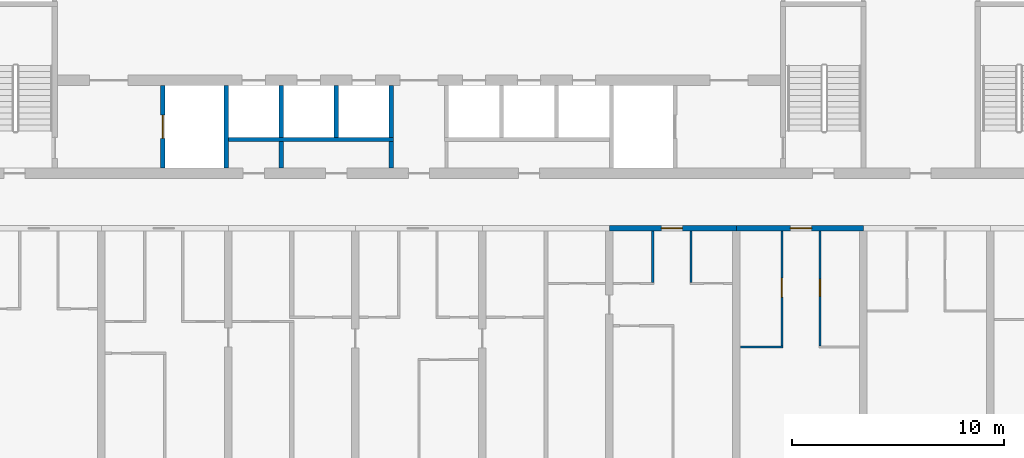
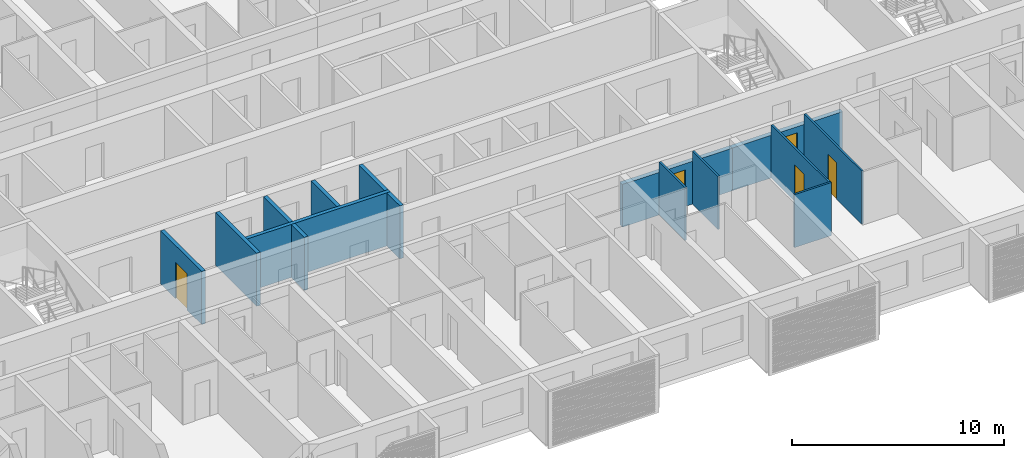
# One storey, part 6 of 26: 15 walls, 5 doors, 5 openings.
"""IFC4 building model written with IfcOpenShell, lengths in metres."""

from ifc_helpers import new_model, si_unit, direction, frame, frame_2d, origin, place, context, subcontext, project, spatial, rectangle, extrude, material, layer, layer_set, type_object, element, fill, save


model = new_model("IFC4")

# Units and contexts
model_context = context("Model", 3, precision=1e-05, world=origin(), true_north=direction((0.0, 1.0)))
body_context = subcontext(model_context, "Body", "Model", "MODEL_VIEW")
ifc_project = project(units=[si_unit("LENGTHUNIT", "METRE"), si_unit("AREAUNIT", "SQUARE_METRE"), si_unit("VOLUMEUNIT", "CUBIC_METRE"), si_unit("PLANEANGLEUNIT", "RADIAN"), si_unit("MASSUNIT", "GRAM", prefix="KILO")], contexts=[model_context])

# Site, building, storey
site_placement = place(None, origin())
site = spatial("IfcSite", under=ifc_project, at=site_placement, CompositionType="ELEMENT")
building_placement = place(site_placement, origin())
building = spatial("IfcBuilding", under=site, at=building_placement, Name="Poui Terraces", CompositionType="ELEMENT")
storey_placement = place(building_placement, frame((0.0, 0.0, 96.0)))
storey = spatial("IfcBuildingStorey", under=building, at=storey_placement, Name="L26", CompositionType="ELEMENT", Elevation=96.0)

# Wall, opening, door
ifc_material_1 = material(Name="Concrete 65 MPa", Category="concrete")
ifc_layer_1 = layer(ifc_material_1, 0.25)
ifc_layer_set_1 = layer_set([ifc_layer_1], Name="Concrete 65 MPa")
wall_type_1 = type_object("IfcWallType", Name="CORRIDOR WALL 250 65MPa", PredefinedType="SHEAR", material=ifc_layer_set_1)
wall_1_placement = place(storey_placement, frame((60.0, 12.0, 0.0), z_axis=(0.0, 0.0, 1.0), x_axis=(1.0, 0.0, 0.0)))
wall_1 = element("IfcWall", 1, at=wall_1_placement, inside=storey, type_object=wall_type_1, Name="CORRIDOR WALL LINE B BAY 10", PredefinedType="SHEAR", context=body_context, shape_type="SweptSolid", body=[
    extrude(rectangle(XDim=6.0, YDim=0.25, at=frame_2d((3.0, 0.0))), origin(), (0.0, 0.0, 1.0), 2.4599609375),
])
opening_1_placement = place(wall_1_placement, frame((2.449951171875, 0.0, 0.0)))
opening_1 = element("IfcOpeningElement", 2, at=opening_1_placement, cuts=wall_1, Name="Opening FD30S", PredefinedType="OPENING", context=body_context, shape_type="SweptSolid", body=[
    extrude(rectangle(XDim=1.0, YDim=2.10009765625, at=frame_2d((0.5, 1.050048828125))), frame((0.0, 0.135009765625, 0.0), z_axis=(0.0, -1.0, 0.0), x_axis=(1.0, 0.0, 0.0)), (0.0, 0.0, 1.0), 0.27001953125),
])
ifc_material_2 = material(Name="Steel fire door", Category="steel")
door_type_1 = type_object("IfcDoorType", Name="FLAT ENTRANCE DOOR 1000 X 2100", OperationType="NOTDEFINED", PredefinedType="DOOR", material=ifc_material_2)
door_1_placement = place(opening_1_placement, frame((1.0, 0.0, 0.0), z_axis=(0.0, 0.0, 1.0), x_axis=(-1.0, 0.0, 0.0)))
door_1 = element("IfcDoor", 3, at=door_1_placement, inside=storey, type_object=door_type_1, Name="FLAT ENTRANCE DOOR 116", OperationType="SINGLE_SWING_RIGHT", OverallHeight=2.10009765625, OverallWidth=1.0, PredefinedType="DOOR", context=body_context, shape_type="SweptSolid", body=[
    extrude(rectangle(XDim=1.0, YDim=2.10009765625, at=frame_2d((0.5, 1.050048828125))), frame((0.0, 0.02490234375, 0.0), z_axis=(0.0, -1.0, 0.0), x_axis=(1.0, 0.0, 0.0)), (0.0, 0.0, 1.0), 0.050048828125),
])
fill(opening_1, door_1)

wall_2_placement = place(storey_placement, frame((66.0, 12.0, 0.0), z_axis=(0.0, 0.0, 1.0), x_axis=(1.0, 0.0, 0.0)))
wall_2 = element("IfcWall", 4, at=wall_2_placement, inside=storey, type_object=wall_type_1, Name="CORRIDOR WALL LINE B BAY 11", PredefinedType="SHEAR", context=body_context, shape_type="SweptSolid", body=[
    extrude(rectangle(XDim=6.0, YDim=0.25, at=frame_2d((3.0, 0.0))), origin(), (0.0, 0.0, 1.0), 2.4599609375),
])
opening_2_placement = place(wall_2_placement, frame((2.550048828125, 0.0, 0.0)))
opening_2 = element("IfcOpeningElement", 5, at=opening_2_placement, cuts=wall_2, Name="Opening FD30S", PredefinedType="OPENING", context=body_context, shape_type="SweptSolid", body=[
    extrude(rectangle(XDim=1.0, YDim=2.10009765625, at=frame_2d((0.5, 1.050048828125))), frame((0.0, 0.135009765625, 0.0), z_axis=(0.0, -1.0, 0.0), x_axis=(1.0, 0.0, 0.0)), (0.0, 0.0, 1.0), 0.27001953125),
])
door_2_placement = place(opening_2_placement, frame((1.0, 0.0, 0.0), z_axis=(0.0, 0.0, 1.0), x_axis=(-1.0, 0.0, 0.0)))
door_2 = element("IfcDoor", 6, at=door_2_placement, inside=storey, type_object=door_type_1, Name="FLAT ENTRANCE DOOR 119", OperationType="SINGLE_SWING_LEFT", OverallHeight=2.10009765625, OverallWidth=1.0, PredefinedType="DOOR", context=body_context, shape_type="SweptSolid", body=[
    extrude(rectangle(XDim=1.0, YDim=2.10009765625, at=frame_2d((0.5, 1.050048828125))), frame((0.0, 0.02490234375, 0.0), z_axis=(0.0, -1.0, 0.0), x_axis=(1.0, 0.0, 0.0)), (0.0, 0.0, 1.0), 0.050048828125),
])
fill(opening_2, door_2)

# Walls
ifc_material_3 = material(Name="Plasterboard partition")
ifc_layer_2 = layer(ifc_material_3, 0.10009765625)
ifc_layer_set_2 = layer_set([ifc_layer_2], Name="Plasterboard partition")
wall_type_2 = type_object("IfcWallType", Name="FLAT PARTITION 100", PredefinedType="PARTITIONING", material=ifc_layer_set_2)
wall_3_placement = place(storey_placement, frame((66.18505859375, 6.39990234375, 0.0), z_axis=(0.0, 0.0, 1.0), x_axis=(1.0, 0.0, 0.0)))
element("IfcWall", 7, at=wall_3_placement, inside=storey, type_object=wall_type_2, Name="FLAT PARTITION 100", PredefinedType="PARTITIONING", context=body_context, shape_type="SweptSolid", body=[
    extrude(rectangle(XDim=2.014892578125, YDim=0.10009765625, at=frame_2d((1.00732421875, 0.0))), origin(), (0.0, 0.0, 1.0), 3.06005859375),
])
for number, where, z_axis, x_axis, name in (
    (8, (62.050048828125, 9.449951171875, 0.0), (0.0, 0.0, 1.0), (0.0, 1.0, 0.0), "FLAT PARTITION 100"),
    (9, (63.85009765625, 9.449951171875, 0.0), (0.0, 0.0, 1.0), (0.0, 1.0, 0.0), "FLAT PARTITION 100"),
):
    element("IfcWall", number, at=place(storey_placement, frame(where, z_axis=z_axis, x_axis=x_axis)), inside=storey, type_object=wall_type_2, Name=name, PredefinedType="PARTITIONING", context=body_context, shape_type="SweptSolid", body=[
        extrude(rectangle(XDim=2.4150390625, YDim=0.10009765625, at=frame_2d((1.20751953125, 0.0))), origin(), (0.0, 0.0, 1.0), 3.06005859375),
    ])

# Wall, opening, door
wall_4_placement = place(storey_placement, frame((68.14990234375, 6.449951171875, 0.0), z_axis=(0.0, 0.0, 1.0), x_axis=(0.0, 1.0, 0.0)))
wall_4 = element("IfcWall", 10, at=wall_4_placement, inside=storey, type_object=wall_type_2, Name="FLAT PARTITION 100", PredefinedType="PARTITIONING", context=body_context, shape_type="SweptSolid", body=[
    extrude(rectangle(XDim=5.4150390625, YDim=0.10009765625, at=frame_2d((2.70751953125, 0.0))), origin(), (0.0, 0.0, 1.0), 3.06005859375),
])
opening_3_placement = place(wall_4_placement, frame((2.300048828125, 0.0, 0.0)))
opening_3 = element("IfcOpeningElement", 11, at=opening_3_placement, cuts=wall_4, Name="Opening D90", PredefinedType="OPENING", context=body_context, shape_type="SweptSolid", body=[
    extrude(rectangle(XDim=0.89990234375, YDim=2.10009765625, at=frame_2d((0.449951171875, 1.050048828125))), frame((0.0, 0.06005859375, 0.0), z_axis=(0.0, -1.0, 0.0), x_axis=(1.0, 0.0, 0.0)), (0.0, 0.0, 1.0), 0.1201171875),
])
ifc_material_4 = material(Name="Solid core timber door", Category="wood")
door_type_2 = type_object("IfcDoorType", Name="INTERNAL DOOR 900 X 2100", OperationType="NOTDEFINED", PredefinedType="DOOR", material=ifc_material_4)
door_3_placement = place(opening_3_placement, origin())
door_3 = element("IfcDoor", 12, at=door_3_placement, inside=storey, type_object=door_type_2, Name="INTERNAL DOOR 118", OperationType="SINGLE_SWING_LEFT", OverallHeight=2.10009765625, OverallWidth=0.89990234375, PredefinedType="DOOR", context=body_context, shape_type="SweptSolid", body=[
    extrude(rectangle(XDim=0.89990234375, YDim=2.10009765625, at=frame_2d((0.449951171875, 1.050048828125))), frame((0.0, 0.02490234375, 0.0), z_axis=(0.0, -1.0, 0.0), x_axis=(1.0, 0.0, 0.0)), (0.0, 0.0, 1.0), 0.050048828125),
])
fill(opening_3, door_3)

wall_5_placement = place(storey_placement, frame((69.949951171875, 6.449951171875, 0.0), z_axis=(0.0, 0.0, 1.0), x_axis=(0.0, 1.0, 0.0)))
wall_5 = element("IfcWall", 13, at=wall_5_placement, inside=storey, type_object=wall_type_2, Name="FLAT PARTITION 100", PredefinedType="PARTITIONING", context=body_context, shape_type="SweptSolid", body=[
    extrude(rectangle(XDim=5.4150390625, YDim=0.10009765625, at=frame_2d((2.70751953125, 0.0))), origin(), (0.0, 0.0, 1.0), 3.06005859375),
])
opening_4_placement = place(wall_5_placement, frame((2.35009765625, 0.0, 0.0)))
opening_4 = element("IfcOpeningElement", 14, at=opening_4_placement, cuts=wall_5, Name="Opening D80", PredefinedType="OPENING", context=body_context, shape_type="SweptSolid", body=[
    extrude(rectangle(XDim=0.800048828125, YDim=2.10009765625, at=frame_2d((0.39990234375, 1.050048828125))), frame((0.0, 0.06005859375, 0.0), z_axis=(0.0, -1.0, 0.0), x_axis=(1.0, 0.0, 0.0)), (0.0, 0.0, 1.0), 0.1201171875),
])
door_type_3 = type_object("IfcDoorType", Name="BATHROOM, LAUNDRY AND STORE DOOR 800 X 2100", OperationType="NOTDEFINED", PredefinedType="DOOR", material=ifc_material_4)
door_4_placement = place(opening_4_placement, frame((0.800048828125, 0.0, 0.0), z_axis=(0.0, 0.0, 1.0), x_axis=(-1.0, 0.0, 0.0)))
door_4 = element("IfcDoor", 15, at=door_4_placement, inside=storey, type_object=door_type_3, Name="BATHROOM, LAUNDRY AND STORE DOOR 120", OperationType="SINGLE_SWING_LEFT", OverallHeight=2.10009765625, OverallWidth=0.800048828125, PredefinedType="DOOR", context=body_context, shape_type="SweptSolid", body=[
    extrude(rectangle(XDim=0.800048828125, YDim=2.10009765625, at=frame_2d((0.39990234375, 1.050048828125))), frame((0.0, 0.02490234375, 0.0), z_axis=(0.0, -1.0, 0.0), x_axis=(1.0, 0.0, 0.0)), (0.0, 0.0, 1.0), 0.050048828125),
])
fill(opening_4, door_4)

# Walls
ifc_material_5 = material(Name="Fire-rated masonry wall", Category="masonry")
ifc_layer_3 = layer(ifc_material_5, 0.199951171875)
ifc_layer_set_3 = layer_set([ifc_layer_3], Name="Fire-rated masonry wall")
wall_type_3 = type_object("IfcWallType", Name="PLANT ROOM WALL 200", PredefinedType="PARTITIONING", material=ifc_layer_set_3)
for number, where, z_axis, x_axis, name in (
    (16, (44.5, 14.860107421875, 0.0), (0.0, 0.0, 1.0), (0.0, 1.0, 0.0), "PLANT ROOM WALL 200"),
    (17, (49.699951171875, 14.860107421875, 0.0), (0.0, 0.0, 1.0), (0.0, 1.0, 0.0), "PLANT ROOM WALL 200"),
):
    element("IfcWall", number, at=place(storey_placement, frame(where, z_axis=z_axis, x_axis=x_axis)), inside=storey, type_object=wall_type_3, Name=name, PredefinedType="PARTITIONING", context=body_context, shape_type="SweptSolid", body=[
        extrude(rectangle(XDim=1.239990234375, YDim=0.199951171875, at=frame_2d((0.6201171875, 0.0))), origin(), (0.0, 0.0, 1.0), 3.06005859375),
    ])
ifc_material_6 = material(Name="Fire-rated masonry shaft wall", Category="masonry")
ifc_layer_4 = layer(ifc_material_6, 0.199951171875)
ifc_layer_set_4 = layer_set([ifc_layer_4], Name="Fire-rated masonry shaft wall")
wall_type_4 = type_object("IfcWallType", Name="SHAFT WALL 200", PredefinedType="PARTITIONING", material=ifc_layer_set_4)
wall_6_placement = place(storey_placement, frame((42.0, 16.199951171875, 0.0), z_axis=(0.0, 0.0, 1.0), x_axis=(1.0, 0.0, 0.0)))
element("IfcWall", 18, at=wall_6_placement, inside=storey, type_object=wall_type_4, Name="SHAFT WALL 200", PredefinedType="PARTITIONING", context=body_context, shape_type="SweptSolid", body=[
    extrude(rectangle(XDim=7.800048828125, YDim=0.199951171875, at=frame_2d((3.89990234375, 0.0))), origin(), (0.0, 0.0, 1.0), 3.06005859375),
])

# Wall, opening, door
wall_7_placement = place(storey_placement, frame((38.89990234375, 14.860107421875, 0.0), z_axis=(0.0, 0.0, 1.0), x_axis=(0.0, 1.0, 0.0)))
wall_7 = element("IfcWall", 19, at=wall_7_placement, inside=storey, type_object=wall_type_4, Name="SHAFT WALL 200", PredefinedType="PARTITIONING", context=body_context, shape_type="SweptSolid", body=[
    extrude(rectangle(XDim=3.8798828125, YDim=0.199951171875, at=frame_2d((1.93994140625, 0.0))), origin(), (0.0, 0.0, 1.0), 3.06005859375),
])
opening_5_placement = place(wall_7_placement, frame((1.389892578125, 0.0, 0.0)))
opening_5 = element("IfcOpeningElement", 20, at=opening_5_placement, cuts=wall_7, Name="Opening LD", PredefinedType="OPENING", context=body_context, shape_type="SweptSolid", body=[
    extrude(rectangle(XDim=1.10009765625, YDim=2.10009765625, at=frame_2d((0.550048828125, 1.050048828125))), frame((0.0, 0.10986328125, 0.0), z_axis=(0.0, -1.0, 0.0), x_axis=(1.0, 0.0, 0.0)), (0.0, 0.0, 1.0), 0.219970703125),
])
ifc_material_7 = material(Name="Stainless steel sliding door", Category="steel")
door_type_4 = type_object("IfcDoorType", Name="LIFT LANDING DOOR 1100 X 2100", OperationType="DOUBLE_DOOR_SLIDING", PredefinedType="DOOR", material=ifc_material_7)
door_5_placement = place(opening_5_placement, origin())
door_5 = element("IfcDoor", 21, at=door_5_placement, inside=storey, type_object=door_type_4, Name="LANDING DOOR", OperationType="DOUBLE_DOOR_SLIDING", OverallHeight=2.10009765625, OverallWidth=1.10009765625, PredefinedType="DOOR", context=body_context, shape_type="SweptSolid", body=[
    extrude(rectangle(XDim=1.10009765625, YDim=2.10009765625, at=frame_2d((0.550048828125, 1.050048828125))), frame((0.0, 0.02490234375, 0.0), z_axis=(0.0, -1.0, 0.0), x_axis=(1.0, 0.0, 0.0)), (0.0, 0.0, 1.0), 0.050048828125),
])
fill(opening_5, door_5)

# Walls
wall_8_placement = place(storey_placement, frame((41.89990234375, 14.860107421875, 0.0), z_axis=(0.0, 0.0, 1.0), x_axis=(0.0, 1.0, 0.0)))
element("IfcWall", 22, at=wall_8_placement, inside=storey, type_object=wall_type_4, Name="SHAFT WALL 200", PredefinedType="PARTITIONING", context=body_context, shape_type="SweptSolid", body=[
    extrude(rectangle(XDim=3.8798828125, YDim=0.199951171875, at=frame_2d((1.93994140625, 0.0))), origin(), (0.0, 0.0, 1.0), 3.06005859375),
])
for number, where, z_axis, x_axis, name in (
    (23, (44.5, 16.300048828125, 0.0), (0.0, 0.0, 1.0), (0.0, 1.0, 0.0), "SHAFT WALL 200"),
    (24, (47.10009765625, 16.300048828125, 0.0), (0.0, 0.0, 1.0), (0.0, 1.0, 0.0), "SHAFT WALL 200"),
    (25, (49.699951171875, 16.300048828125, 0.0), (0.0, 0.0, 1.0), (0.0, 1.0, 0.0), "SHAFT WALL 200"),
):
    element("IfcWall", number, at=place(storey_placement, frame(where, z_axis=z_axis, x_axis=x_axis)), inside=storey, type_object=wall_type_4, Name=name, PredefinedType="PARTITIONING", context=body_context, shape_type="SweptSolid", body=[
        extrude(rectangle(XDim=2.43994140625, YDim=0.199951171875, at=frame_2d((1.219970703125, 0.0))), origin(), (0.0, 0.0, 1.0), 3.06005859375),
    ])

save(model, "model.ifc")
